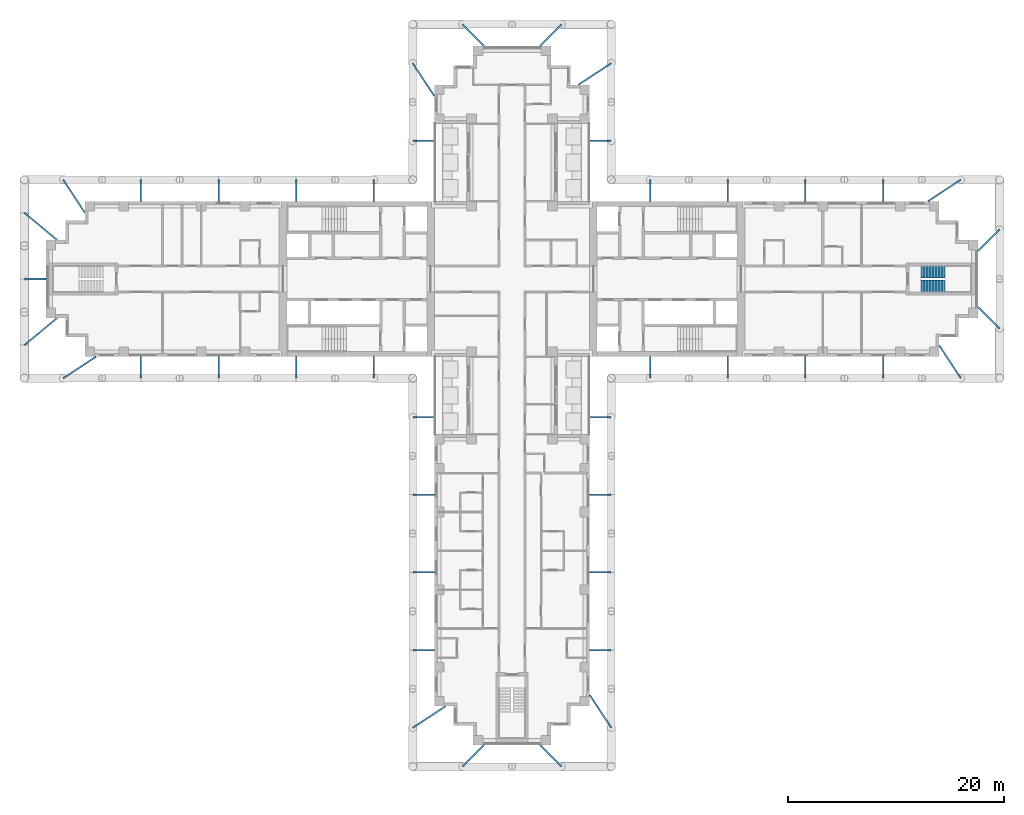
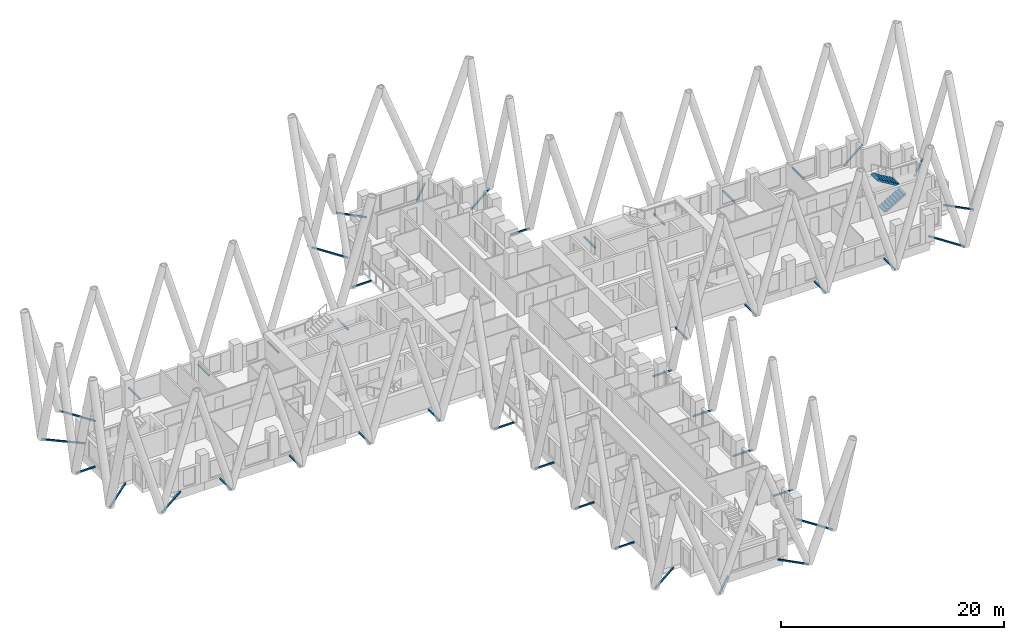
# One storey, part 12 of 14: 43 discrete accessories, 2 stair flights, 1 element without a shape of its own.
"""IFC4 building model written with IfcOpenShell, lengths in metres."""

from ifc_helpers import new_model, si_unit, direction, frame, origin, origin_2d, place, context, subcontext, project, spatial, polyline, hollow_rectangle, outline, extrude, material, type_object, element, aggregate, save


model = new_model("IFC4")

# Units and contexts
model_context = context("Model", 3, precision=1e-05, world=origin(), true_north=direction((0.0, 1.0)))
body_context = subcontext(model_context, "Body", "Model", "MODEL_VIEW")
ifc_project = project(units=[si_unit("LENGTHUNIT", "METRE"), si_unit("AREAUNIT", "SQUARE_METRE"), si_unit("VOLUMEUNIT", "CUBIC_METRE"), si_unit("PLANEANGLEUNIT", "RADIAN"), si_unit("MASSUNIT", "GRAM", prefix="KILO")], contexts=[model_context])

# Site, building, storey
site_placement = place(None, origin())
site = spatial("IfcSite", under=ifc_project, at=site_placement, CompositionType="ELEMENT")
building_placement = place(site_placement, origin())
building = spatial("IfcBuilding", under=site, at=building_placement, Name="Fustian Cross Tower", CompositionType="ELEMENT")
storey_placement = place(building_placement, frame((0.0, 0.0, 90.89990234375)))
storey = spatial("IfcBuildingStorey", under=building, at=storey_placement, Name="L28", CompositionType="ELEMENT", Elevation=90.89990234375)

# Stair, stair flights
ifc_material_1 = material(Name="Concrete C50/60", Category="concrete")
stair_type = type_object("IfcStairType", Name="STAIR 1100 HALF TURN", PredefinedType="HALF_TURN_STAIR", material=ifc_material_1)
stair_placement = place(storey_placement, origin())
stair = element("IfcStair", 1, at=stair_placement, inside=storey, type_object=stair_type, Name="Stair ST8", PredefinedType="HALF_TURN_STAIR")
ifc_material_2 = material(Name="Concrete C50/60", Category="concrete")
stair_flight_type = type_object("IfcStairFlightType", Name="STAIR FLIGHT 1100", PredefinedType="STRAIGHT", material=ifc_material_2)
stair_flight_1_placement = place(storey_placement, frame((37.89990234375, -0.64990234375, 0.0), z_axis=(0.0, 0.0, 1.0), x_axis=(1.0, 0.0, 0.0)))
stair_flight_1 = element("IfcStairFlight", 2, at=stair_flight_1_placement, type_object=stair_flight_type, Name="ST8 flight 1", NumberOfRisers=9, NumberOfTreads=8, PredefinedType="STRAIGHT", RiserHeight=0.166666667, TreadLength=0.28, context=body_context, shape_type="SweptSolid", body=[
    extrude(outline(polyline([(0.0, 0.0), (0.0, 0.166748046875), (0.280029296875, 0.166748046875), (0.280029296875, 0.333251953125), (0.56005859375, 0.333251953125), (0.56005859375, 0.5), (0.840087890625, 0.5), (0.840087890625, 0.666748046875), (1.1201171875, 0.666748046875), (1.1201171875, 0.833251953125), (1.39990234375, 0.833251953125), (1.39990234375, 1.0), (1.679931640625, 1.0), (1.679931640625, 1.166748046875), (1.9599609375, 1.166748046875), (1.9599609375, 1.333251953125), (2.239990234375, 1.333251953125), (2.239990234375, 1.5), (2.239990234375, 1.158935546875), (0.29296875, 0.0), (0.0, 0.0)])), frame((0.0, 0.550048828125, 0.0), z_axis=(0.0, -1.0, 0.0), x_axis=(1.0, 0.0, 0.0)), (0.0, 0.0, 1.0), 1.10009765625),
])
stair_flight_2_placement = place(storey_placement, frame((40.139892578125, 0.64990234375, 1.5), z_axis=(0.0, 0.0, 1.0), x_axis=(-1.0, 0.0, 0.0)))
stair_flight_2 = element("IfcStairFlight", 3, at=stair_flight_2_placement, type_object=stair_flight_type, Name="ST8 flight 2", NumberOfRisers=9, NumberOfTreads=8, PredefinedType="STRAIGHT", RiserHeight=0.166666667, TreadLength=0.28, context=body_context, shape_type="SweptSolid", body=[
    extrude(outline(polyline([(0.0, 0.0), (0.0, 0.166748046875), (0.280029296875, 0.166748046875), (0.280029296875, 0.333251953125), (0.56005859375, 0.333251953125), (0.56005859375, 0.5), (0.840087890625, 0.5), (0.840087890625, 0.666748046875), (1.1201171875, 0.666748046875), (1.1201171875, 0.833251953125), (1.39990234375, 0.833251953125), (1.39990234375, 1.0), (1.679931640625, 1.0), (1.679931640625, 1.166748046875), (1.9599609375, 1.166748046875), (1.9599609375, 1.333251953125), (2.239990234375, 1.333251953125), (2.239990234375, 1.5), (2.239990234375, 1.158935546875), (0.29296875, 0.0), (0.0, 0.0)])), frame((0.0, 0.550048828125, 0.0), z_axis=(0.0, -1.0, 0.0), x_axis=(1.0, 0.0, 0.0)), (0.0, 0.0, 1.0), 1.10009765625),
])
aggregate(stair, [stair_flight_1, stair_flight_2])

# Discrete accessories
ifc_material_3 = material(Name="Steel S355", Category="steel")
discrete_accessory_1_placement = place(storey_placement, frame((45.199951171875, 4.60009765625, -0.14990234375), z_axis=(-0.707106781187, -0.707106781187, 0.0), x_axis=(0.707106781187, -0.707106781187, 0.0)))
element("IfcDiscreteAccessory", 4, at=discrete_accessory_1_placement, inside=storey, material=ifc_material_3, Name="Diagrid node bracket L28-01", PredefinedType="BRACKET", context=body_context, shape_type="SweptSolid", body=[
    extrude(hollow_rectangle(XDim=0.14990234375, YDim=0.14990234375, WallThickness=0.010009765625, at=origin_2d()), origin(), (0.0, 0.0, 1.0), 2.828369140625),
])
discrete_accessory_2_placement = place(storey_placement, frame((41.60009765625, 9.199951171875, -0.14990234375), z_axis=(-0.836248392914, -0.548350823241, 0.0), x_axis=(0.548350823241, -0.836248392914, 0.0)))
element("IfcDiscreteAccessory", 5, at=discrete_accessory_2_placement, inside=storey, material=ifc_material_3, Name="Diagrid node bracket L28-02", PredefinedType="BRACKET", context=body_context, shape_type="SweptSolid", body=[
    extrude(hollow_rectangle(XDim=0.14990234375, YDim=0.14990234375, WallThickness=0.010009765625, at=origin_2d()), origin(), (0.0, 0.0, 1.0), 3.647216796875),
])
for number, where, z_axis, x_axis, name in (
    (6, (34.39990234375, 9.199951171875, -0.14990234375), (0.0, -1.0, 0.0), (1.0, 0.0, 0.0), "Diagrid node bracket L28-03"),
    (7, (27.199951171875, 9.199951171875, -0.14990234375), (0.0, -1.0, 0.0), (1.0, 0.0, 0.0), "Diagrid node bracket L28-04"),
    (8, (20.0, 9.199951171875, -0.14990234375), (0.0, -1.0, 0.0), (1.0, 0.0, 0.0), "Diagrid node bracket L28-05"),
    (9, (12.800048828125, 9.199951171875, -0.14990234375), (0.0, -1.0, 0.0), (1.0, 0.0, 0.0), "Diagrid node bracket L28-06"),
    (10, (9.199951171875, 12.800048828125, -0.14990234375), (-1.0, 0.0, 0.0), (0.0, -1.0, 0.0), "Diagrid node bracket L28-07"),
):
    element("IfcDiscreteAccessory", number, at=place(storey_placement, frame(where, z_axis=z_axis, x_axis=x_axis)), inside=storey, material=ifc_material_3, Name=name, PredefinedType="BRACKET", context=body_context, shape_type="SweptSolid", body=[
        extrude(hollow_rectangle(XDim=0.14990234375, YDim=0.14990234375, WallThickness=0.010009765625, at=origin_2d()), origin(), (0.0, 0.0, 1.0), 2.0),
    ])
discrete_accessory_3_placement = place(storey_placement, frame((9.199951171875, 20.0, -0.14990234375), z_axis=(-0.836248392914, -0.548350823241, 0.0), x_axis=(0.548350823241, -0.836248392914, 0.0)))
element("IfcDiscreteAccessory", 11, at=discrete_accessory_3_placement, inside=storey, material=ifc_material_3, Name="Diagrid node bracket L28-08", PredefinedType="BRACKET", context=body_context, shape_type="SweptSolid", body=[
    extrude(hollow_rectangle(XDim=0.14990234375, YDim=0.14990234375, WallThickness=0.010009765625, at=origin_2d()), origin(), (0.0, 0.0, 1.0), 3.647216796875),
])
for number, where, z_axis, x_axis, name in (
    (12, (4.60009765625, 23.60009765625, -0.14990234375), (-0.707106781187, -0.707106781187, 0.0), (0.707106781187, -0.707106781187, 0.0), "Diagrid node bracket L28-09"),
    (13, (-4.60009765625, 23.60009765625, -0.14990234375), (0.707106781187, -0.707106781187, 0.0), (0.707106781187, 0.707106781187, 0.0), "Diagrid node bracket L28-10"),
):
    element("IfcDiscreteAccessory", number, at=place(storey_placement, frame(where, z_axis=z_axis, x_axis=x_axis)), inside=storey, material=ifc_material_3, Name=name, PredefinedType="BRACKET", context=body_context, shape_type="SweptSolid", body=[
        extrude(hollow_rectangle(XDim=0.14990234375, YDim=0.14990234375, WallThickness=0.010009765625, at=origin_2d()), origin(), (0.0, 0.0, 1.0), 2.828369140625),
    ])
discrete_accessory_4_placement = place(storey_placement, frame((-9.199951171875, 20.0, -0.14990234375), z_axis=(0.548350823241, -0.836248392914, 0.0), x_axis=(0.836248392914, 0.548350823241, 0.0)))
element("IfcDiscreteAccessory", 14, at=discrete_accessory_4_placement, inside=storey, material=ifc_material_3, Name="Diagrid node bracket L28-11", PredefinedType="BRACKET", context=body_context, shape_type="SweptSolid", body=[
    extrude(hollow_rectangle(XDim=0.14990234375, YDim=0.14990234375, WallThickness=0.010009765625, at=origin_2d()), origin(), (0.0, 0.0, 1.0), 3.647216796875),
])
for number, where, z_axis, x_axis, name in (
    (15, (-9.199951171875, 12.800048828125, -0.14990234375), (1.0, 0.0, 0.0), (0.0, 1.0, 0.0), "Diagrid node bracket L28-12"),
    (16, (-12.800048828125, 9.199951171875, -0.14990234375), (0.0, -1.0, 0.0), (1.0, 0.0, 0.0), "Diagrid node bracket L28-13"),
    (17, (-20.0, 9.199951171875, -0.14990234375), (0.0, -1.0, 0.0), (1.0, 0.0, 0.0), "Diagrid node bracket L28-14"),
    (18, (-27.199951171875, 9.199951171875, -0.14990234375), (0.0, -1.0, 0.0), (1.0, 0.0, 0.0), "Diagrid node bracket L28-15"),
    (19, (-34.39990234375, 9.199951171875, -0.14990234375), (0.0, -1.0, 0.0), (1.0, 0.0, 0.0), "Diagrid node bracket L28-16"),
):
    element("IfcDiscreteAccessory", number, at=place(storey_placement, frame(where, z_axis=z_axis, x_axis=x_axis)), inside=storey, material=ifc_material_3, Name=name, PredefinedType="BRACKET", context=body_context, shape_type="SweptSolid", body=[
        extrude(hollow_rectangle(XDim=0.14990234375, YDim=0.14990234375, WallThickness=0.010009765625, at=origin_2d()), origin(), (0.0, 0.0, 1.0), 2.0),
    ])
discrete_accessory_5_placement = place(storey_placement, frame((-41.60009765625, 9.199951171875, -0.14990234375), z_axis=(0.548350823241, -0.836248392914, 0.0), x_axis=(0.836248392914, 0.548350823241, 0.0)))
element("IfcDiscreteAccessory", 20, at=discrete_accessory_5_placement, inside=storey, material=ifc_material_3, Name="Diagrid node bracket L28-17", PredefinedType="BRACKET", context=body_context, shape_type="SweptSolid", body=[
    extrude(hollow_rectangle(XDim=0.14990234375, YDim=0.14990234375, WallThickness=0.010009765625, at=origin_2d()), origin(), (0.0, 0.0, 1.0), 3.647216796875),
])
discrete_accessory_6_placement = place(storey_placement, frame((-45.199951171875, 6.13330078125, -0.14990234375), z_axis=(0.769275112648, -0.638917679408, 0.0), x_axis=(0.638917679408, 0.769275112648, 0.0)))
element("IfcDiscreteAccessory", 21, at=discrete_accessory_6_placement, inside=storey, material=ifc_material_3, Name="Diagrid node bracket L28-18", PredefinedType="BRACKET", context=body_context, shape_type="SweptSolid", body=[
    extrude(hollow_rectangle(XDim=0.14990234375, YDim=0.14990234375, WallThickness=0.010009765625, at=origin_2d()), origin(), (0.0, 0.0, 1.0), 3.96484375),
])
discrete_accessory_7_placement = place(storey_placement, frame((-45.199951171875, 0.0, -0.14990234375), z_axis=(1.0, 0.0, 0.0), x_axis=(0.0, 1.0, 0.0)))
element("IfcDiscreteAccessory", 22, at=discrete_accessory_7_placement, inside=storey, material=ifc_material_3, Name="Diagrid node bracket L28-19", PredefinedType="BRACKET", context=body_context, shape_type="SweptSolid", body=[
    extrude(hollow_rectangle(XDim=0.14990234375, YDim=0.14990234375, WallThickness=0.010009765625, at=origin_2d()), origin(), (0.0, 0.0, 1.0), 2.0),
])
discrete_accessory_8_placement = place(storey_placement, frame((-45.199951171875, -6.13330078125, -0.14990234375), z_axis=(0.769275112648, 0.638917679408, 0.0), x_axis=(-0.638917679408, 0.769275112648, 0.0)))
element("IfcDiscreteAccessory", 23, at=discrete_accessory_8_placement, inside=storey, material=ifc_material_3, Name="Diagrid node bracket L28-20", PredefinedType="BRACKET", context=body_context, shape_type="SweptSolid", body=[
    extrude(hollow_rectangle(XDim=0.14990234375, YDim=0.14990234375, WallThickness=0.010009765625, at=origin_2d()), origin(), (0.0, 0.0, 1.0), 3.96484375),
])
discrete_accessory_9_placement = place(storey_placement, frame((-41.60009765625, -9.199951171875, -0.14990234375), z_axis=(0.836248392914, 0.548350823241, 0.0), x_axis=(-0.548350823241, 0.836248392914, 0.0)))
element("IfcDiscreteAccessory", 24, at=discrete_accessory_9_placement, inside=storey, material=ifc_material_3, Name="Diagrid node bracket L28-21", PredefinedType="BRACKET", context=body_context, shape_type="SweptSolid", body=[
    extrude(hollow_rectangle(XDim=0.14990234375, YDim=0.14990234375, WallThickness=0.010009765625, at=origin_2d()), origin(), (0.0, 0.0, 1.0), 3.647216796875),
])
for number, where, z_axis, x_axis, name in (
    (25, (-34.39990234375, -9.199951171875, -0.14990234375), (0.0, 1.0, 0.0), (-1.0, 0.0, 0.0), "Diagrid node bracket L28-22"),
    (26, (-27.199951171875, -9.199951171875, -0.14990234375), (0.0, 1.0, 0.0), (-1.0, 0.0, 0.0), "Diagrid node bracket L28-23"),
    (27, (-20.0, -9.199951171875, -0.14990234375), (0.0, 1.0, 0.0), (-1.0, 0.0, 0.0), "Diagrid node bracket L28-24"),
    (28, (-12.800048828125, -9.199951171875, -0.14990234375), (0.0, 1.0, 0.0), (-1.0, 0.0, 0.0), "Diagrid node bracket L28-25"),
    (29, (-9.199951171875, -12.800048828125, -0.14990234375), (1.0, 0.0, 0.0), (0.0, 1.0, 0.0), "Diagrid node bracket L28-26"),
    (30, (-9.199951171875, -20.0, -0.14990234375), (1.0, 0.0, 0.0), (0.0, 1.0, 0.0), "Diagrid node bracket L28-27"),
    (31, (-9.199951171875, -27.199951171875, -0.14990234375), (1.0, 0.0, 0.0), (0.0, 1.0, 0.0), "Diagrid node bracket L28-28"),
    (32, (-9.199951171875, -34.39990234375, -0.14990234375), (1.0, 0.0, 0.0), (0.0, 1.0, 0.0), "Diagrid node bracket L28-29"),
):
    element("IfcDiscreteAccessory", number, at=place(storey_placement, frame(where, z_axis=z_axis, x_axis=x_axis)), inside=storey, material=ifc_material_3, Name=name, PredefinedType="BRACKET", context=body_context, shape_type="SweptSolid", body=[
        extrude(hollow_rectangle(XDim=0.14990234375, YDim=0.14990234375, WallThickness=0.010009765625, at=origin_2d()), origin(), (0.0, 0.0, 1.0), 2.0),
    ])
discrete_accessory_10_placement = place(storey_placement, frame((-9.199951171875, -41.60009765625, -0.14990234375), z_axis=(0.836248392914, 0.548350823241, 0.0), x_axis=(-0.548350823241, 0.836248392914, 0.0)))
element("IfcDiscreteAccessory", 33, at=discrete_accessory_10_placement, inside=storey, material=ifc_material_3, Name="Diagrid node bracket L28-30", PredefinedType="BRACKET", context=body_context, shape_type="SweptSolid", body=[
    extrude(hollow_rectangle(XDim=0.14990234375, YDim=0.14990234375, WallThickness=0.010009765625, at=origin_2d()), origin(), (0.0, 0.0, 1.0), 3.647216796875),
])
for number, where, z_axis, x_axis, name in (
    (34, (-4.60009765625, -45.199951171875, -0.14990234375), (0.707106781187, 0.707106781187, 0.0), (-0.707106781187, 0.707106781187, 0.0), "Diagrid node bracket L28-31"),
    (35, (4.60009765625, -45.199951171875, -0.14990234375), (-0.707106781187, 0.707106781187, 0.0), (-0.707106781187, -0.707106781187, 0.0), "Diagrid node bracket L28-32"),
):
    element("IfcDiscreteAccessory", number, at=place(storey_placement, frame(where, z_axis=z_axis, x_axis=x_axis)), inside=storey, material=ifc_material_3, Name=name, PredefinedType="BRACKET", context=body_context, shape_type="SweptSolid", body=[
        extrude(hollow_rectangle(XDim=0.14990234375, YDim=0.14990234375, WallThickness=0.010009765625, at=origin_2d()), origin(), (0.0, 0.0, 1.0), 2.828369140625),
    ])
discrete_accessory_11_placement = place(storey_placement, frame((9.199951171875, -41.60009765625, -0.14990234375), z_axis=(-0.548350823241, 0.836248392914, 0.0), x_axis=(-0.836248392914, -0.548350823241, 0.0)))
element("IfcDiscreteAccessory", 36, at=discrete_accessory_11_placement, inside=storey, material=ifc_material_3, Name="Diagrid node bracket L28-33", PredefinedType="BRACKET", context=body_context, shape_type="SweptSolid", body=[
    extrude(hollow_rectangle(XDim=0.14990234375, YDim=0.14990234375, WallThickness=0.010009765625, at=origin_2d()), origin(), (0.0, 0.0, 1.0), 3.647216796875),
])
for number, where, z_axis, x_axis, name in (
    (37, (9.199951171875, -34.39990234375, -0.14990234375), (-1.0, 0.0, 0.0), (0.0, -1.0, 0.0), "Diagrid node bracket L28-34"),
    (38, (9.199951171875, -27.199951171875, -0.14990234375), (-1.0, 0.0, 0.0), (0.0, -1.0, 0.0), "Diagrid node bracket L28-35"),
    (39, (9.199951171875, -20.0, -0.14990234375), (-1.0, 0.0, 0.0), (0.0, -1.0, 0.0), "Diagrid node bracket L28-36"),
    (40, (9.199951171875, -12.800048828125, -0.14990234375), (-1.0, 0.0, 0.0), (0.0, -1.0, 0.0), "Diagrid node bracket L28-37"),
    (41, (12.800048828125, -9.199951171875, -0.14990234375), (0.0, 1.0, 0.0), (-1.0, 0.0, 0.0), "Diagrid node bracket L28-38"),
    (42, (20.0, -9.199951171875, -0.14990234375), (0.0, 1.0, 0.0), (-1.0, 0.0, 0.0), "Diagrid node bracket L28-39"),
    (43, (27.199951171875, -9.199951171875, -0.14990234375), (0.0, 1.0, 0.0), (-1.0, 0.0, 0.0), "Diagrid node bracket L28-40"),
    (44, (34.39990234375, -9.199951171875, -0.14990234375), (0.0, 1.0, 0.0), (-1.0, 0.0, 0.0), "Diagrid node bracket L28-41"),
):
    element("IfcDiscreteAccessory", number, at=place(storey_placement, frame(where, z_axis=z_axis, x_axis=x_axis)), inside=storey, material=ifc_material_3, Name=name, PredefinedType="BRACKET", context=body_context, shape_type="SweptSolid", body=[
        extrude(hollow_rectangle(XDim=0.14990234375, YDim=0.14990234375, WallThickness=0.010009765625, at=origin_2d()), origin(), (0.0, 0.0, 1.0), 2.0),
    ])
discrete_accessory_12_placement = place(storey_placement, frame((41.60009765625, -9.199951171875, -0.14990234375), z_axis=(-0.548350823241, 0.836248392914, 0.0), x_axis=(-0.836248392914, -0.548350823241, 0.0)))
element("IfcDiscreteAccessory", 45, at=discrete_accessory_12_placement, inside=storey, material=ifc_material_3, Name="Diagrid node bracket L28-42", PredefinedType="BRACKET", context=body_context, shape_type="SweptSolid", body=[
    extrude(hollow_rectangle(XDim=0.14990234375, YDim=0.14990234375, WallThickness=0.010009765625, at=origin_2d()), origin(), (0.0, 0.0, 1.0), 3.647216796875),
])
discrete_accessory_13_placement = place(storey_placement, frame((45.199951171875, -4.60009765625, -0.14990234375), z_axis=(-0.707106781187, 0.707106781187, 0.0), x_axis=(-0.707106781187, -0.707106781187, 0.0)))
element("IfcDiscreteAccessory", 46, at=discrete_accessory_13_placement, inside=storey, material=ifc_material_3, Name="Diagrid node bracket L28-43", PredefinedType="BRACKET", context=body_context, shape_type="SweptSolid", body=[
    extrude(hollow_rectangle(XDim=0.14990234375, YDim=0.14990234375, WallThickness=0.010009765625, at=origin_2d()), origin(), (0.0, 0.0, 1.0), 2.828369140625),
])

save(model, "model.ifc")
